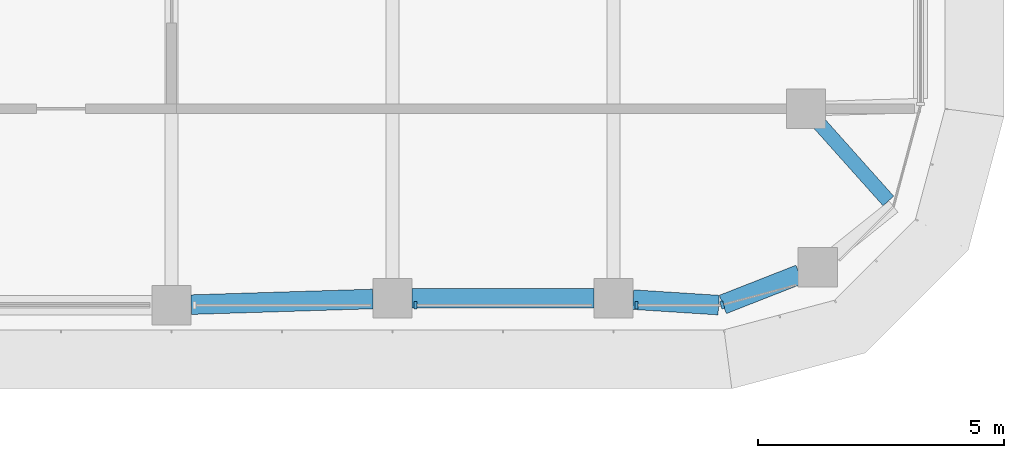
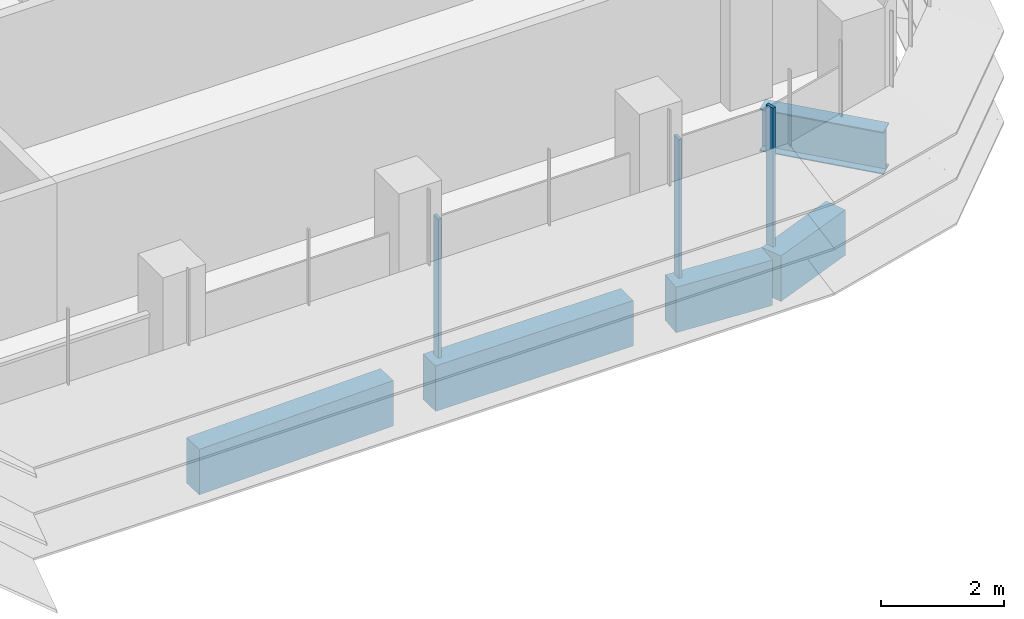
# One storey, part 5 of 20: 5 beams, 3 members, 2 elements without a shape of their own.
"""IFC4 building model written with IfcOpenShell, lengths in metres."""

from ifc_helpers import new_model, si_unit, direction, frame, origin, origin_2d, place, context, subcontext, project, spatial, polyline, rectangle, i_section, outline, extrude, source, transform, mapped, material, material_profile, profile_set, type_object, element, aggregate, save


model = new_model("IFC4")

# Units and contexts
model_context = context("Model", 3, precision=1e-05, world=origin(), true_north=direction((0.0, 1.0)))
body_context = subcontext(model_context, "Body", "Model", "MODEL_VIEW")
ifc_project = project(units=[si_unit("LENGTHUNIT", "METRE"), si_unit("AREAUNIT", "SQUARE_METRE"), si_unit("VOLUMEUNIT", "CUBIC_METRE"), si_unit("PLANEANGLEUNIT", "RADIAN"), si_unit("MASSUNIT", "GRAM", prefix="KILO")], contexts=[model_context])

# Site, building, storey
site_placement = place(None, origin())
site = spatial("IfcSite", under=ifc_project, at=site_placement, CompositionType="ELEMENT")
building_placement = place(site_placement, origin())
building = spatial("IfcBuilding", under=site, at=building_placement, Name="Zarbagh Exchange Tower", CompositionType="ELEMENT")
storey_placement = place(building_placement, frame((0.0, 0.0, 141.0)))
storey = spatial("IfcBuildingStorey", under=building, at=storey_placement, Name="L33", CompositionType="ELEMENT", Elevation=141.0)

# Beams
ifc_material_1 = material(Name="Steel ASTM A992 Gr 50", Category="steel")
ifc_material_profile_1 = material_profile(ifc_material_1, i_section(OverallWidth=0.2919921875, OverallDepth=0.835693359375, WebThickness=0.013916015625, FlangeThickness=0.018798828125, at=origin_2d()), Name="W33X118")
ifc_profile_set_1 = profile_set([ifc_material_profile_1], Name="Steel ASTM A992 Gr 50")
beam_type_1 = type_object("IfcBeamType", Name="Floor girder W33X118", PredefinedType="BEAM", material=ifc_profile_set_1)
beam_1_placement = place(storey_placement, frame((28.9365234375, -2.54833984375, -0.56787109375), z_axis=(0.666238158503, -0.745739040251, 0.0), x_axis=(0.745739040251, 0.666238158503, 0.0)))
element("IfcBeam", 1, at=beam_1_placement, inside=storey, type_object=beam_type_1, Name="Steel girder", PredefinedType="BEAM", context=body_context, shape_type="SweptSolid", body=[
    extrude(i_section(OverallWidth=0.2919921875, OverallDepth=0.835693359375, WebThickness=0.013916015625, FlangeThickness=0.018798828125, at=origin_2d()), origin(), (0.0, 0.0, 1.0), 2.115966796875),
])
ifc_material_2 = material(Name="Concrete C50/60", Category="concrete")
ifc_material_profile_2 = material_profile(ifc_material_2, rectangle(XDim=0.39990234375, YDim=0.89990234375, at=origin_2d()), Name="RC spandrel beam 400 x 900 C50/60")
ifc_profile_set_2 = profile_set([ifc_material_profile_2], Name="Concrete C50/60")
beam_type_2 = type_object("IfcBeamType", Name="RC spandrel beam 400 x 900 C50/60", PredefinedType="SPANDREL", material=ifc_profile_set_2)
beam_2_placement = place(storey_placement, frame((28.53564453125, -5.62109375, -0.60009765625), z_axis=(-0.930818758612, -0.36548110569, 0.0), x_axis=(0.36548110569, -0.930818758612, 0.0)))
element("IfcBeam", 2, at=beam_2_placement, inside=storey, type_object=beam_type_2, Name="RC spandrel beam", PredefinedType="SPANDREL", context=body_context, shape_type="SweptSolid", body=[
    extrude(rectangle(XDim=0.39990234375, YDim=0.89990234375, at=origin_2d()), origin(), (0.0, 0.0, 1.0), 1.676025390625),
])
beam_3_placement = place(storey_placement, frame((26.8896484375, -6.247314453125, -0.60009765625), z_axis=(-0.997942679773, 0.064112462805, 0.0), x_axis=(-0.064112462805, -0.997942679773, 0.0)))
element("IfcBeam", 3, at=beam_3_placement, inside=storey, type_object=beam_type_2, Name="RC spandrel beam", PredefinedType="SPANDREL", context=body_context, shape_type="SweptSolid", body=[
    extrude(rectangle(XDim=0.39990234375, YDim=0.89990234375, at=origin_2d()), origin(), (0.0, 0.0, 1.0), 1.744140625),
])
beam_4_placement = place(storey_placement, frame((24.35009765625, -6.110107421875, -0.60009765625), z_axis=(-1.0, 0.0, 0.0), x_axis=(0.0, -1.0, 0.0)))
element("IfcBeam", 4, at=beam_4_placement, inside=storey, type_object=beam_type_2, Name="RC spandrel beam", PredefinedType="SPANDREL", context=body_context, shape_type="SweptSolid", body=[
    extrude(rectangle(XDim=0.39990234375, YDim=0.89990234375, at=origin_2d()), origin(), (0.0, 0.0, 1.0), 3.7001953125),
])
beam_5_placement = place(storey_placement, frame((19.85009765625, -6.122314453125, -0.60009765625), z_axis=(-0.999515416033, -0.031127690444, 0.0), x_axis=(0.031127690444, -0.999515416033, 0.0)))
element("IfcBeam", 5, at=beam_5_placement, inside=storey, type_object=beam_type_2, Name="RC spandrel beam", PredefinedType="SPANDREL", context=body_context, shape_type="SweptSolid", body=[
    extrude(rectangle(XDim=0.39990234375, YDim=0.89990234375, at=origin_2d()), origin(), (0.0, 0.0, 1.0), 3.701904296875),
])

# Curtain wall, members
ifc_material_3 = material(Name="Anodised aluminium frame and glazing", Category="aluminium")
curtain_wall_type = type_object("IfcCurtainWallType", Name="CWB Ribbon glazing, upper zones", PredefinedType="NOTDEFINED", material=ifc_material_3)
curtain_wall_1_placement = place(storey_placement, origin())
curtain_wall_1 = element("IfcCurtainWall", 6, at=curtain_wall_1_placement, inside=storey, type_object=curtain_wall_type, Name="CWB08 curtain wall", PredefinedType="NOTDEFINED")
ifc_material_4 = material(Name="Anodised aluminium frame", Category="aluminium")
member_type = type_object("IfcMemberType", Name="MUB Mullion, anodised aluminium frame", PredefinedType="MULLION", material=ifc_material_4)
shared_shape = source(origin(), body_context, "Body", "SweptSolid", [
    extrude(outline(polyline([(0.0, -0.080078125), (0.06005859375, -0.080078125), (0.06005859375, 0.080078125), (0.0, 0.080078125), (0.0, -0.080078125)])), origin(), (0.0, 0.0, 1.0), 2.75),
])
placement = place(storey_placement, origin())
member_1 = element("IfcMember", 7, at=placement, type_object=member_type, Name="CWB08 mullion 3.1", PredefinedType="MULLION", context=body_context, shape_type="MappedRepresentation", body=[
    mapped(shared_shape, transform((20.68994140625, -6.25, 0.0), x_axis=(1.0, 0.0, 0.0), y_axis=(0.0, 1.0, 0.0), z_axis=(0.0, 0.0, 1.0))),
])
member_2 = element("IfcMember", 8, at=placement, type_object=member_type, Name="CWB08 mullion 4.1", PredefinedType="MULLION", context=body_context, shape_type="MappedRepresentation", body=[
    mapped(shared_shape, transform((25.18994140625, -6.25, 0.0), x_axis=(1.0, 0.0, 0.0), y_axis=(0.0, 1.0, 0.0), z_axis=(0.0, 0.0, 1.0))),
])
aggregate(curtain_wall_1, [member_1, member_2])

# Curtain wall, member
curtain_wall_2_placement = place(storey_placement, origin())
curtain_wall_2 = element("IfcCurtainWall", 9, at=curtain_wall_2_placement, inside=storey, type_object=curtain_wall_type, Name="CWB09 curtain wall", PredefinedType="NOTDEFINED")
member_3 = element("IfcMember", 10, at=placement, type_object=member_type, Name="CWB09 mullion 1.1", PredefinedType="MULLION", context=body_context, shape_type="MappedRepresentation", body=[
    mapped(shared_shape, transform((26.93408203125, -6.25, 0.0), x_axis=(0.965924289636, 0.258824779902, 0.0), y_axis=(-0.258824779902, 0.965924289636, 0.0), z_axis=(0.0, 0.0, 1.0))),
])
aggregate(curtain_wall_2, [member_3])

save(model, "model.ifc")
